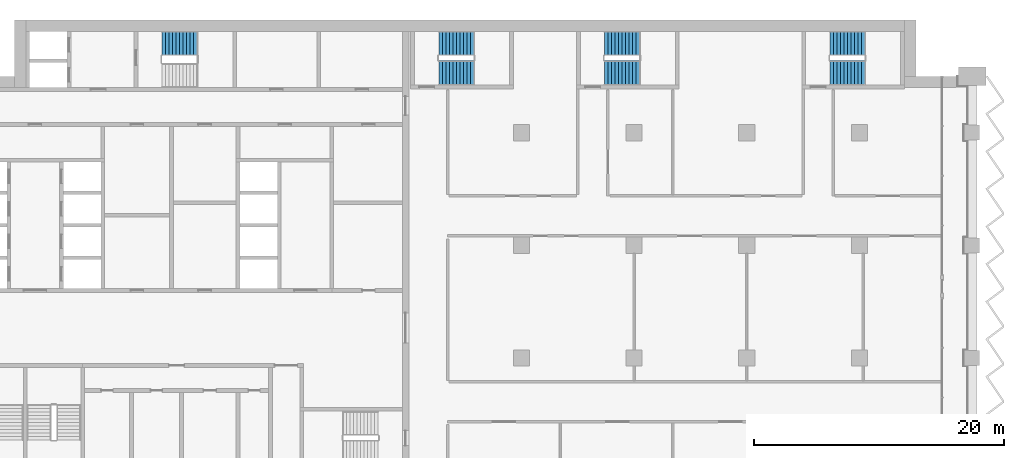
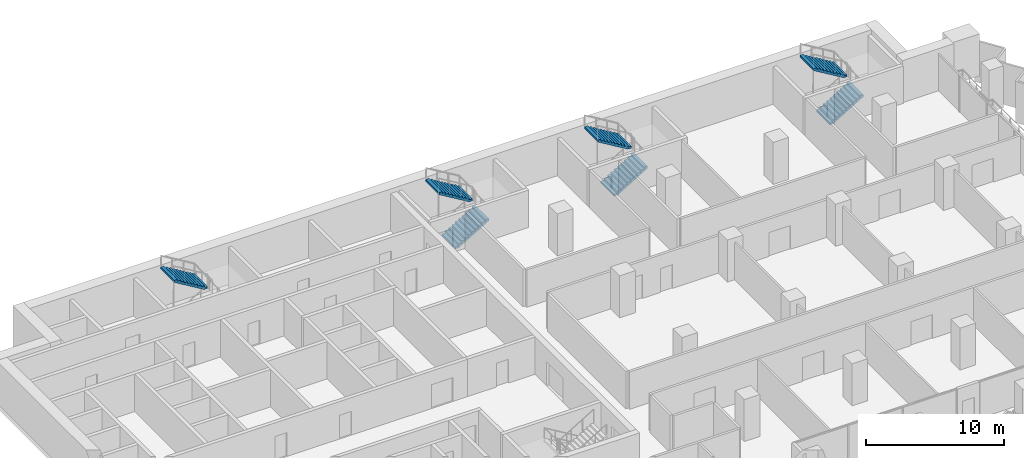
# One storey, part 17 of 22: 7 stair flights, 4 elements without a shape of their own.
"""IFC4 building model written with IfcOpenShell, lengths in metres."""

from ifc_helpers import new_model, si_unit, direction, frame, origin, place, context, subcontext, project, spatial, polyline, outline, extrude, material, type_object, element, aggregate, save


model = new_model("IFC4")

# Units and contexts
model_context = context("Model", 3, precision=1e-05, world=origin(), true_north=direction((0.0, 1.0)))
body_context = subcontext(model_context, "Body", "Model", "MODEL_VIEW")
ifc_project = project(units=[si_unit("LENGTHUNIT", "METRE"), si_unit("AREAUNIT", "SQUARE_METRE"), si_unit("VOLUMEUNIT", "CUBIC_METRE"), si_unit("PLANEANGLEUNIT", "RADIAN"), si_unit("MASSUNIT", "GRAM", prefix="KILO")], contexts=[model_context])

# Site, building, storey
site_placement = place(None, origin())
site = spatial("IfcSite", under=ifc_project, at=site_placement, CompositionType="ELEMENT")
building_placement = place(site_placement, origin())
building = spatial("IfcBuilding", under=site, at=building_placement, Name="Hunhe Ridgeline Campus", CompositionType="ELEMENT")
storey_placement = place(building_placement, frame((0.0, 0.0, 92.199951171875)))
storey = spatial("IfcBuildingStorey", under=building, at=storey_placement, Name="L22", CompositionType="ELEMENT", Elevation=92.199951171875)

# Stair, stair flight
ifc_material = material(Name="Concrete C40", Category="concrete")
stair_type = type_object("IfcStairType", Name="Reinforced concrete dog-leg stair 1950 Concrete C40", PredefinedType="HALF_TURN_STAIR", material=ifc_material)
stair_1_placement = place(storey_placement, origin())
stair_1 = element("IfcStair", 1, at=stair_1_placement, inside=storey, type_object=stair_type, Name="L22 S1", PredefinedType="HALF_TURN_STAIR")
stair_flight_type = type_object("IfcStairFlightType", Name="Reinforced concrete stair flight 1950 Concrete C40", PredefinedType="STRAIGHT", material=ifc_material)
stair_flight_1_placement = place(storey_placement, frame((19.10009765625, 97.125, 1.85009765625), z_axis=(0.0, 0.0, 1.0), x_axis=(-1.0, 0.0, 0.0)))
stair_flight_1 = element("IfcStairFlight", 2, at=stair_flight_1_placement, type_object=stair_flight_type, Name="ST1 flight 2", NumberOfRisers=11, NumberOfTreads=10, PredefinedType="STRAIGHT", RiserHeight=0.168181818, TreadLength=0.28, context=body_context, shape_type="SweptSolid", body=[
    extrude(outline(polyline([(0.0, 0.0), (0.0, 0.168212890625), (0.280029296875, 0.168212890625), (0.280029296875, 0.33642578125), (0.56005859375, 0.33642578125), (0.56005859375, 0.504638671875), (0.840087890625, 0.504638671875), (0.840087890625, 0.672607421875), (1.1201171875, 0.672607421875), (1.1201171875, 0.8408203125), (1.39990234375, 0.8408203125), (1.39990234375, 1.009033203125), (1.679931640625, 1.009033203125), (1.679931640625, 1.17724609375), (1.9599609375, 1.17724609375), (1.9599609375, 1.345458984375), (2.239990234375, 1.345458984375), (2.239990234375, 1.513671875), (2.52001953125, 1.513671875), (2.52001953125, 1.681884765625), (2.800048828125, 1.681884765625), (2.800048828125, 1.85009765625), (2.800048828125, 1.5068359375), (0.291015625, 0.0), (0.0, 0.0)])), frame((0.0, 0.97509765625, 0.0), z_axis=(0.0, -1.0, 0.0), x_axis=(1.0, 0.0, 0.0)), (0.0, 0.0, 1.0), 1.949951171875),
    extrude(outline(polyline([(0.030029296875, 0.030029296875), (0.030029296875, 0.13818359375), (0.31005859375, 0.13818359375), (0.31005859375, 0.306396484375), (0.590087890625, 0.306396484375), (0.590087890625, 0.474609375), (0.8701171875, 0.474609375), (0.8701171875, 0.642578125), (1.14990234375, 0.642578125), (1.14990234375, 0.810791015625), (1.429931640625, 0.810791015625), (1.429931640625, 0.97900390625), (1.7099609375, 0.97900390625), (1.7099609375, 1.147216796875), (1.989990234375, 1.147216796875), (1.989990234375, 1.3154296875), (2.27001953125, 1.3154296875), (2.27001953125, 1.483642578125), (2.550048828125, 1.483642578125), (2.550048828125, 1.65185546875), (2.77001953125, 1.65185546875), (2.77001953125, 1.52392578125), (0.28271484375, 0.030029296875), (0.030029296875, 0.030029296875)])), frame((0.0, -0.070068359375, 0.0), z_axis=(0.0, -1.0, 0.0), x_axis=(1.0, 0.0, 0.0)), (0.0, 0.0, 1.0), 0.019775390625),
    extrude(outline(polyline([(0.030029296875, 0.030029296875), (0.030029296875, 0.13818359375), (0.31005859375, 0.13818359375), (0.31005859375, 0.306396484375), (0.590087890625, 0.306396484375), (0.590087890625, 0.474609375), (0.8701171875, 0.474609375), (0.8701171875, 0.642578125), (1.14990234375, 0.642578125), (1.14990234375, 0.810791015625), (1.429931640625, 0.810791015625), (1.429931640625, 0.97900390625), (1.7099609375, 0.97900390625), (1.7099609375, 1.147216796875), (1.989990234375, 1.147216796875), (1.989990234375, 1.3154296875), (2.27001953125, 1.3154296875), (2.27001953125, 1.483642578125), (2.550048828125, 1.483642578125), (2.550048828125, 1.65185546875), (2.77001953125, 1.65185546875), (2.77001953125, 1.52392578125), (0.28271484375, 0.030029296875), (0.030029296875, 0.030029296875)])), frame((0.0, 0.010009765625, 0.0), z_axis=(0.0, -1.0, 0.0), x_axis=(1.0, 0.0, 0.0)), (0.0, 0.0, 1.0), 0.019775390625),
    extrude(outline(polyline([(0.030029296875, 0.030029296875), (0.030029296875, 0.13818359375), (0.31005859375, 0.13818359375), (0.31005859375, 0.306396484375), (0.590087890625, 0.306396484375), (0.590087890625, 0.474609375), (0.8701171875, 0.474609375), (0.8701171875, 0.642578125), (1.14990234375, 0.642578125), (1.14990234375, 0.810791015625), (1.429931640625, 0.810791015625), (1.429931640625, 0.97900390625), (1.7099609375, 0.97900390625), (1.7099609375, 1.147216796875), (1.989990234375, 1.147216796875), (1.989990234375, 1.3154296875), (2.27001953125, 1.3154296875), (2.27001953125, 1.483642578125), (2.550048828125, 1.483642578125), (2.550048828125, 1.65185546875), (2.77001953125, 1.65185546875), (2.77001953125, 1.52392578125), (0.28271484375, 0.030029296875), (0.030029296875, 0.030029296875)])), frame((0.0, 0.090087890625, 0.0), z_axis=(0.0, -1.0, 0.0), x_axis=(1.0, 0.0, 0.0)), (0.0, 0.0, 1.0), 0.019775390625),
])
aggregate(stair_1, [stair_flight_1])

# Stair, stair flights
stair_2_placement = place(storey_placement, origin())
stair_2 = element("IfcStair", 3, at=stair_2_placement, inside=storey, type_object=stair_type, Name="L22 E1", PredefinedType="HALF_TURN_STAIR")
stair_flight_2_placement = place(storey_placement, frame((38.39990234375, 94.77490234375, 0.0), z_axis=(0.0, 0.0, 1.0), x_axis=(1.0, 0.0, 0.0)))
stair_flight_2 = element("IfcStairFlight", 4, at=stair_flight_2_placement, type_object=stair_flight_type, Name="ST5 flight 1", NumberOfRisers=11, NumberOfTreads=10, PredefinedType="STRAIGHT", RiserHeight=0.168181818, TreadLength=0.28, context=body_context, shape_type="SweptSolid", body=[
    extrude(outline(polyline([(0.0, 0.0), (0.0, 0.168212890625), (0.280029296875, 0.168212890625), (0.280029296875, 0.33642578125), (0.56005859375, 0.33642578125), (0.56005859375, 0.504638671875), (0.840087890625, 0.504638671875), (0.840087890625, 0.672607421875), (1.1201171875, 0.672607421875), (1.1201171875, 0.8408203125), (1.39990234375, 0.8408203125), (1.39990234375, 1.009033203125), (1.679931640625, 1.009033203125), (1.679931640625, 1.17724609375), (1.9599609375, 1.17724609375), (1.9599609375, 1.345458984375), (2.239990234375, 1.345458984375), (2.239990234375, 1.513671875), (2.52001953125, 1.513671875), (2.52001953125, 1.681884765625), (2.800048828125, 1.681884765625), (2.800048828125, 1.85009765625), (2.800048828125, 1.5068359375), (0.291015625, 0.0), (0.0, 0.0)])), frame((0.0, 0.97509765625, 0.0), z_axis=(0.0, -1.0, 0.0), x_axis=(1.0, 0.0, 0.0)), (0.0, 0.0, 1.0), 1.949951171875),
    extrude(outline(polyline([(0.030029296875, 0.030029296875), (0.030029296875, 0.13818359375), (0.31005859375, 0.13818359375), (0.31005859375, 0.306396484375), (0.590087890625, 0.306396484375), (0.590087890625, 0.474609375), (0.8701171875, 0.474609375), (0.8701171875, 0.642578125), (1.14990234375, 0.642578125), (1.14990234375, 0.810791015625), (1.429931640625, 0.810791015625), (1.429931640625, 0.97900390625), (1.7099609375, 0.97900390625), (1.7099609375, 1.147216796875), (1.989990234375, 1.147216796875), (1.989990234375, 1.3154296875), (2.27001953125, 1.3154296875), (2.27001953125, 1.483642578125), (2.550048828125, 1.483642578125), (2.550048828125, 1.65185546875), (2.77001953125, 1.65185546875), (2.77001953125, 1.52392578125), (0.28271484375, 0.030029296875), (0.030029296875, 0.030029296875)])), frame((0.0, -0.070068359375, 0.0), z_axis=(0.0, -1.0, 0.0), x_axis=(1.0, 0.0, 0.0)), (0.0, 0.0, 1.0), 0.019775390625),
    extrude(outline(polyline([(0.030029296875, 0.030029296875), (0.030029296875, 0.13818359375), (0.31005859375, 0.13818359375), (0.31005859375, 0.306396484375), (0.590087890625, 0.306396484375), (0.590087890625, 0.474609375), (0.8701171875, 0.474609375), (0.8701171875, 0.642578125), (1.14990234375, 0.642578125), (1.14990234375, 0.810791015625), (1.429931640625, 0.810791015625), (1.429931640625, 0.97900390625), (1.7099609375, 0.97900390625), (1.7099609375, 1.147216796875), (1.989990234375, 1.147216796875), (1.989990234375, 1.3154296875), (2.27001953125, 1.3154296875), (2.27001953125, 1.483642578125), (2.550048828125, 1.483642578125), (2.550048828125, 1.65185546875), (2.77001953125, 1.65185546875), (2.77001953125, 1.52392578125), (0.28271484375, 0.030029296875), (0.030029296875, 0.030029296875)])), frame((0.0, 0.010009765625, 0.0), z_axis=(0.0, -1.0, 0.0), x_axis=(1.0, 0.0, 0.0)), (0.0, 0.0, 1.0), 0.019775390625),
    extrude(outline(polyline([(0.030029296875, 0.030029296875), (0.030029296875, 0.13818359375), (0.31005859375, 0.13818359375), (0.31005859375, 0.306396484375), (0.590087890625, 0.306396484375), (0.590087890625, 0.474609375), (0.8701171875, 0.474609375), (0.8701171875, 0.642578125), (1.14990234375, 0.642578125), (1.14990234375, 0.810791015625), (1.429931640625, 0.810791015625), (1.429931640625, 0.97900390625), (1.7099609375, 0.97900390625), (1.7099609375, 1.147216796875), (1.989990234375, 1.147216796875), (1.989990234375, 1.3154296875), (2.27001953125, 1.3154296875), (2.27001953125, 1.483642578125), (2.550048828125, 1.483642578125), (2.550048828125, 1.65185546875), (2.77001953125, 1.65185546875), (2.77001953125, 1.52392578125), (0.28271484375, 0.030029296875), (0.030029296875, 0.030029296875)])), frame((0.0, 0.090087890625, 0.0), z_axis=(0.0, -1.0, 0.0), x_axis=(1.0, 0.0, 0.0)), (0.0, 0.0, 1.0), 0.019775390625),
])
stair_flight_3_placement = place(storey_placement, frame((41.199951171875, 97.125, 1.85009765625), z_axis=(0.0, 0.0, 1.0), x_axis=(-1.0, 0.0, 0.0)))
stair_flight_3 = element("IfcStairFlight", 5, at=stair_flight_3_placement, type_object=stair_flight_type, Name="ST5 flight 2", NumberOfRisers=11, NumberOfTreads=10, PredefinedType="STRAIGHT", RiserHeight=0.168181818, TreadLength=0.28, context=body_context, shape_type="SweptSolid", body=[
    extrude(outline(polyline([(0.0, 0.0), (0.0, 0.168212890625), (0.280029296875, 0.168212890625), (0.280029296875, 0.33642578125), (0.56005859375, 0.33642578125), (0.56005859375, 0.504638671875), (0.840087890625, 0.504638671875), (0.840087890625, 0.672607421875), (1.1201171875, 0.672607421875), (1.1201171875, 0.8408203125), (1.39990234375, 0.8408203125), (1.39990234375, 1.009033203125), (1.679931640625, 1.009033203125), (1.679931640625, 1.17724609375), (1.9599609375, 1.17724609375), (1.9599609375, 1.345458984375), (2.239990234375, 1.345458984375), (2.239990234375, 1.513671875), (2.52001953125, 1.513671875), (2.52001953125, 1.681884765625), (2.800048828125, 1.681884765625), (2.800048828125, 1.85009765625), (2.800048828125, 1.5068359375), (0.291015625, 0.0), (0.0, 0.0)])), frame((0.0, 0.97509765625, 0.0), z_axis=(0.0, -1.0, 0.0), x_axis=(1.0, 0.0, 0.0)), (0.0, 0.0, 1.0), 1.949951171875),
    extrude(outline(polyline([(0.030029296875, 0.030029296875), (0.030029296875, 0.13818359375), (0.31005859375, 0.13818359375), (0.31005859375, 0.306396484375), (0.590087890625, 0.306396484375), (0.590087890625, 0.474609375), (0.8701171875, 0.474609375), (0.8701171875, 0.642578125), (1.14990234375, 0.642578125), (1.14990234375, 0.810791015625), (1.429931640625, 0.810791015625), (1.429931640625, 0.97900390625), (1.7099609375, 0.97900390625), (1.7099609375, 1.147216796875), (1.989990234375, 1.147216796875), (1.989990234375, 1.3154296875), (2.27001953125, 1.3154296875), (2.27001953125, 1.483642578125), (2.550048828125, 1.483642578125), (2.550048828125, 1.65185546875), (2.77001953125, 1.65185546875), (2.77001953125, 1.52392578125), (0.28271484375, 0.030029296875), (0.030029296875, 0.030029296875)])), frame((0.0, -0.070068359375, 0.0), z_axis=(0.0, -1.0, 0.0), x_axis=(1.0, 0.0, 0.0)), (0.0, 0.0, 1.0), 0.019775390625),
    extrude(outline(polyline([(0.030029296875, 0.030029296875), (0.030029296875, 0.13818359375), (0.31005859375, 0.13818359375), (0.31005859375, 0.306396484375), (0.590087890625, 0.306396484375), (0.590087890625, 0.474609375), (0.8701171875, 0.474609375), (0.8701171875, 0.642578125), (1.14990234375, 0.642578125), (1.14990234375, 0.810791015625), (1.429931640625, 0.810791015625), (1.429931640625, 0.97900390625), (1.7099609375, 0.97900390625), (1.7099609375, 1.147216796875), (1.989990234375, 1.147216796875), (1.989990234375, 1.3154296875), (2.27001953125, 1.3154296875), (2.27001953125, 1.483642578125), (2.550048828125, 1.483642578125), (2.550048828125, 1.65185546875), (2.77001953125, 1.65185546875), (2.77001953125, 1.52392578125), (0.28271484375, 0.030029296875), (0.030029296875, 0.030029296875)])), frame((0.0, 0.010009765625, 0.0), z_axis=(0.0, -1.0, 0.0), x_axis=(1.0, 0.0, 0.0)), (0.0, 0.0, 1.0), 0.019775390625),
    extrude(outline(polyline([(0.030029296875, 0.030029296875), (0.030029296875, 0.13818359375), (0.31005859375, 0.13818359375), (0.31005859375, 0.306396484375), (0.590087890625, 0.306396484375), (0.590087890625, 0.474609375), (0.8701171875, 0.474609375), (0.8701171875, 0.642578125), (1.14990234375, 0.642578125), (1.14990234375, 0.810791015625), (1.429931640625, 0.810791015625), (1.429931640625, 0.97900390625), (1.7099609375, 0.97900390625), (1.7099609375, 1.147216796875), (1.989990234375, 1.147216796875), (1.989990234375, 1.3154296875), (2.27001953125, 1.3154296875), (2.27001953125, 1.483642578125), (2.550048828125, 1.483642578125), (2.550048828125, 1.65185546875), (2.77001953125, 1.65185546875), (2.77001953125, 1.52392578125), (0.28271484375, 0.030029296875), (0.030029296875, 0.030029296875)])), frame((0.0, 0.090087890625, 0.0), z_axis=(0.0, -1.0, 0.0), x_axis=(1.0, 0.0, 0.0)), (0.0, 0.0, 1.0), 0.019775390625),
])
aggregate(stair_2, [stair_flight_2, stair_flight_3])

stair_3_placement = place(storey_placement, origin())
stair_3 = element("IfcStair", 6, at=stair_3_placement, inside=storey, type_object=stair_type, Name="L22 E2", PredefinedType="HALF_TURN_STAIR")
stair_flight_4_placement = place(storey_placement, frame((51.64990234375, 94.77490234375, 0.0), z_axis=(0.0, 0.0, 1.0), x_axis=(1.0, 0.0, 0.0)))
stair_flight_4 = element("IfcStairFlight", 7, at=stair_flight_4_placement, type_object=stair_flight_type, Name="ST6 flight 1", NumberOfRisers=11, NumberOfTreads=10, PredefinedType="STRAIGHT", RiserHeight=0.168181818, TreadLength=0.28, context=body_context, shape_type="SweptSolid", body=[
    extrude(outline(polyline([(0.0, 0.0), (0.0, 0.168212890625), (0.280029296875, 0.168212890625), (0.280029296875, 0.33642578125), (0.56005859375, 0.33642578125), (0.56005859375, 0.504638671875), (0.840087890625, 0.504638671875), (0.840087890625, 0.672607421875), (1.1201171875, 0.672607421875), (1.1201171875, 0.8408203125), (1.39990234375, 0.8408203125), (1.39990234375, 1.009033203125), (1.679931640625, 1.009033203125), (1.679931640625, 1.17724609375), (1.9599609375, 1.17724609375), (1.9599609375, 1.345458984375), (2.239990234375, 1.345458984375), (2.239990234375, 1.513671875), (2.52001953125, 1.513671875), (2.52001953125, 1.681884765625), (2.800048828125, 1.681884765625), (2.800048828125, 1.85009765625), (2.800048828125, 1.5068359375), (0.291015625, 0.0), (0.0, 0.0)])), frame((0.0, 0.97509765625, 0.0), z_axis=(0.0, -1.0, 0.0), x_axis=(1.0, 0.0, 0.0)), (0.0, 0.0, 1.0), 1.949951171875),
    extrude(outline(polyline([(0.030029296875, 0.030029296875), (0.030029296875, 0.13818359375), (0.31005859375, 0.13818359375), (0.31005859375, 0.306396484375), (0.590087890625, 0.306396484375), (0.590087890625, 0.474609375), (0.8701171875, 0.474609375), (0.8701171875, 0.642578125), (1.14990234375, 0.642578125), (1.14990234375, 0.810791015625), (1.429931640625, 0.810791015625), (1.429931640625, 0.97900390625), (1.7099609375, 0.97900390625), (1.7099609375, 1.147216796875), (1.989990234375, 1.147216796875), (1.989990234375, 1.3154296875), (2.27001953125, 1.3154296875), (2.27001953125, 1.483642578125), (2.550048828125, 1.483642578125), (2.550048828125, 1.65185546875), (2.77001953125, 1.65185546875), (2.77001953125, 1.52392578125), (0.28271484375, 0.030029296875), (0.030029296875, 0.030029296875)])), frame((0.0, -0.070068359375, 0.0), z_axis=(0.0, -1.0, 0.0), x_axis=(1.0, 0.0, 0.0)), (0.0, 0.0, 1.0), 0.019775390625),
    extrude(outline(polyline([(0.030029296875, 0.030029296875), (0.030029296875, 0.13818359375), (0.31005859375, 0.13818359375), (0.31005859375, 0.306396484375), (0.590087890625, 0.306396484375), (0.590087890625, 0.474609375), (0.8701171875, 0.474609375), (0.8701171875, 0.642578125), (1.14990234375, 0.642578125), (1.14990234375, 0.810791015625), (1.429931640625, 0.810791015625), (1.429931640625, 0.97900390625), (1.7099609375, 0.97900390625), (1.7099609375, 1.147216796875), (1.989990234375, 1.147216796875), (1.989990234375, 1.3154296875), (2.27001953125, 1.3154296875), (2.27001953125, 1.483642578125), (2.550048828125, 1.483642578125), (2.550048828125, 1.65185546875), (2.77001953125, 1.65185546875), (2.77001953125, 1.52392578125), (0.28271484375, 0.030029296875), (0.030029296875, 0.030029296875)])), frame((0.0, 0.010009765625, 0.0), z_axis=(0.0, -1.0, 0.0), x_axis=(1.0, 0.0, 0.0)), (0.0, 0.0, 1.0), 0.019775390625),
    extrude(outline(polyline([(0.030029296875, 0.030029296875), (0.030029296875, 0.13818359375), (0.31005859375, 0.13818359375), (0.31005859375, 0.306396484375), (0.590087890625, 0.306396484375), (0.590087890625, 0.474609375), (0.8701171875, 0.474609375), (0.8701171875, 0.642578125), (1.14990234375, 0.642578125), (1.14990234375, 0.810791015625), (1.429931640625, 0.810791015625), (1.429931640625, 0.97900390625), (1.7099609375, 0.97900390625), (1.7099609375, 1.147216796875), (1.989990234375, 1.147216796875), (1.989990234375, 1.3154296875), (2.27001953125, 1.3154296875), (2.27001953125, 1.483642578125), (2.550048828125, 1.483642578125), (2.550048828125, 1.65185546875), (2.77001953125, 1.65185546875), (2.77001953125, 1.52392578125), (0.28271484375, 0.030029296875), (0.030029296875, 0.030029296875)])), frame((0.0, 0.090087890625, 0.0), z_axis=(0.0, -1.0, 0.0), x_axis=(1.0, 0.0, 0.0)), (0.0, 0.0, 1.0), 0.019775390625),
])
stair_flight_5_placement = place(storey_placement, frame((54.449951171875, 97.125, 1.85009765625), z_axis=(0.0, 0.0, 1.0), x_axis=(-1.0, 0.0, 0.0)))
stair_flight_5 = element("IfcStairFlight", 8, at=stair_flight_5_placement, type_object=stair_flight_type, Name="ST6 flight 2", NumberOfRisers=11, NumberOfTreads=10, PredefinedType="STRAIGHT", RiserHeight=0.168181818, TreadLength=0.28, context=body_context, shape_type="SweptSolid", body=[
    extrude(outline(polyline([(0.0, 0.0), (0.0, 0.168212890625), (0.280029296875, 0.168212890625), (0.280029296875, 0.33642578125), (0.56005859375, 0.33642578125), (0.56005859375, 0.504638671875), (0.840087890625, 0.504638671875), (0.840087890625, 0.672607421875), (1.1201171875, 0.672607421875), (1.1201171875, 0.8408203125), (1.39990234375, 0.8408203125), (1.39990234375, 1.009033203125), (1.679931640625, 1.009033203125), (1.679931640625, 1.17724609375), (1.9599609375, 1.17724609375), (1.9599609375, 1.345458984375), (2.239990234375, 1.345458984375), (2.239990234375, 1.513671875), (2.52001953125, 1.513671875), (2.52001953125, 1.681884765625), (2.800048828125, 1.681884765625), (2.800048828125, 1.85009765625), (2.800048828125, 1.5068359375), (0.291015625, 0.0), (0.0, 0.0)])), frame((0.0, 0.97509765625, 0.0), z_axis=(0.0, -1.0, 0.0), x_axis=(1.0, 0.0, 0.0)), (0.0, 0.0, 1.0), 1.949951171875),
    extrude(outline(polyline([(0.030029296875, 0.030029296875), (0.030029296875, 0.13818359375), (0.31005859375, 0.13818359375), (0.31005859375, 0.306396484375), (0.590087890625, 0.306396484375), (0.590087890625, 0.474609375), (0.8701171875, 0.474609375), (0.8701171875, 0.642578125), (1.14990234375, 0.642578125), (1.14990234375, 0.810791015625), (1.429931640625, 0.810791015625), (1.429931640625, 0.97900390625), (1.7099609375, 0.97900390625), (1.7099609375, 1.147216796875), (1.989990234375, 1.147216796875), (1.989990234375, 1.3154296875), (2.27001953125, 1.3154296875), (2.27001953125, 1.483642578125), (2.550048828125, 1.483642578125), (2.550048828125, 1.65185546875), (2.77001953125, 1.65185546875), (2.77001953125, 1.52392578125), (0.28271484375, 0.030029296875), (0.030029296875, 0.030029296875)])), frame((0.0, -0.070068359375, 0.0), z_axis=(0.0, -1.0, 0.0), x_axis=(1.0, 0.0, 0.0)), (0.0, 0.0, 1.0), 0.019775390625),
    extrude(outline(polyline([(0.030029296875, 0.030029296875), (0.030029296875, 0.13818359375), (0.31005859375, 0.13818359375), (0.31005859375, 0.306396484375), (0.590087890625, 0.306396484375), (0.590087890625, 0.474609375), (0.8701171875, 0.474609375), (0.8701171875, 0.642578125), (1.14990234375, 0.642578125), (1.14990234375, 0.810791015625), (1.429931640625, 0.810791015625), (1.429931640625, 0.97900390625), (1.7099609375, 0.97900390625), (1.7099609375, 1.147216796875), (1.989990234375, 1.147216796875), (1.989990234375, 1.3154296875), (2.27001953125, 1.3154296875), (2.27001953125, 1.483642578125), (2.550048828125, 1.483642578125), (2.550048828125, 1.65185546875), (2.77001953125, 1.65185546875), (2.77001953125, 1.52392578125), (0.28271484375, 0.030029296875), (0.030029296875, 0.030029296875)])), frame((0.0, 0.010009765625, 0.0), z_axis=(0.0, -1.0, 0.0), x_axis=(1.0, 0.0, 0.0)), (0.0, 0.0, 1.0), 0.019775390625),
    extrude(outline(polyline([(0.030029296875, 0.030029296875), (0.030029296875, 0.13818359375), (0.31005859375, 0.13818359375), (0.31005859375, 0.306396484375), (0.590087890625, 0.306396484375), (0.590087890625, 0.474609375), (0.8701171875, 0.474609375), (0.8701171875, 0.642578125), (1.14990234375, 0.642578125), (1.14990234375, 0.810791015625), (1.429931640625, 0.810791015625), (1.429931640625, 0.97900390625), (1.7099609375, 0.97900390625), (1.7099609375, 1.147216796875), (1.989990234375, 1.147216796875), (1.989990234375, 1.3154296875), (2.27001953125, 1.3154296875), (2.27001953125, 1.483642578125), (2.550048828125, 1.483642578125), (2.550048828125, 1.65185546875), (2.77001953125, 1.65185546875), (2.77001953125, 1.52392578125), (0.28271484375, 0.030029296875), (0.030029296875, 0.030029296875)])), frame((0.0, 0.090087890625, 0.0), z_axis=(0.0, -1.0, 0.0), x_axis=(1.0, 0.0, 0.0)), (0.0, 0.0, 1.0), 0.019775390625),
])
aggregate(stair_3, [stair_flight_4, stair_flight_5])

stair_4_placement = place(storey_placement, origin())
stair_4 = element("IfcStair", 9, at=stair_4_placement, inside=storey, type_object=stair_type, Name="L22 E3", PredefinedType="HALF_TURN_STAIR")
stair_flight_6_placement = place(storey_placement, frame((69.64990234375, 94.77490234375, 0.0), z_axis=(0.0, 0.0, 1.0), x_axis=(1.0, 0.0, 0.0)))
stair_flight_6 = element("IfcStairFlight", 10, at=stair_flight_6_placement, type_object=stair_flight_type, Name="ST7 flight 1", NumberOfRisers=11, NumberOfTreads=10, PredefinedType="STRAIGHT", RiserHeight=0.168181818, TreadLength=0.28, context=body_context, shape_type="SweptSolid", body=[
    extrude(outline(polyline([(0.0, 0.0), (0.0, 0.168212890625), (0.280029296875, 0.168212890625), (0.280029296875, 0.33642578125), (0.56005859375, 0.33642578125), (0.56005859375, 0.504638671875), (0.840087890625, 0.504638671875), (0.840087890625, 0.672607421875), (1.1201171875, 0.672607421875), (1.1201171875, 0.8408203125), (1.39990234375, 0.8408203125), (1.39990234375, 1.009033203125), (1.679931640625, 1.009033203125), (1.679931640625, 1.17724609375), (1.9599609375, 1.17724609375), (1.9599609375, 1.345458984375), (2.239990234375, 1.345458984375), (2.239990234375, 1.513671875), (2.52001953125, 1.513671875), (2.52001953125, 1.681884765625), (2.800048828125, 1.681884765625), (2.800048828125, 1.85009765625), (2.800048828125, 1.5068359375), (0.291015625, 0.0), (0.0, 0.0)])), frame((0.0, 0.97509765625, 0.0), z_axis=(0.0, -1.0, 0.0), x_axis=(1.0, 0.0, 0.0)), (0.0, 0.0, 1.0), 1.949951171875),
    extrude(outline(polyline([(0.030029296875, 0.030029296875), (0.030029296875, 0.13818359375), (0.31005859375, 0.13818359375), (0.31005859375, 0.306396484375), (0.590087890625, 0.306396484375), (0.590087890625, 0.474609375), (0.8701171875, 0.474609375), (0.8701171875, 0.642578125), (1.14990234375, 0.642578125), (1.14990234375, 0.810791015625), (1.429931640625, 0.810791015625), (1.429931640625, 0.97900390625), (1.7099609375, 0.97900390625), (1.7099609375, 1.147216796875), (1.989990234375, 1.147216796875), (1.989990234375, 1.3154296875), (2.27001953125, 1.3154296875), (2.27001953125, 1.483642578125), (2.550048828125, 1.483642578125), (2.550048828125, 1.65185546875), (2.77001953125, 1.65185546875), (2.77001953125, 1.52392578125), (0.28271484375, 0.030029296875), (0.030029296875, 0.030029296875)])), frame((0.0, -0.070068359375, 0.0), z_axis=(0.0, -1.0, 0.0), x_axis=(1.0, 0.0, 0.0)), (0.0, 0.0, 1.0), 0.019775390625),
    extrude(outline(polyline([(0.030029296875, 0.030029296875), (0.030029296875, 0.13818359375), (0.31005859375, 0.13818359375), (0.31005859375, 0.306396484375), (0.590087890625, 0.306396484375), (0.590087890625, 0.474609375), (0.8701171875, 0.474609375), (0.8701171875, 0.642578125), (1.14990234375, 0.642578125), (1.14990234375, 0.810791015625), (1.429931640625, 0.810791015625), (1.429931640625, 0.97900390625), (1.7099609375, 0.97900390625), (1.7099609375, 1.147216796875), (1.989990234375, 1.147216796875), (1.989990234375, 1.3154296875), (2.27001953125, 1.3154296875), (2.27001953125, 1.483642578125), (2.550048828125, 1.483642578125), (2.550048828125, 1.65185546875), (2.77001953125, 1.65185546875), (2.77001953125, 1.52392578125), (0.28271484375, 0.030029296875), (0.030029296875, 0.030029296875)])), frame((0.0, 0.010009765625, 0.0), z_axis=(0.0, -1.0, 0.0), x_axis=(1.0, 0.0, 0.0)), (0.0, 0.0, 1.0), 0.019775390625),
    extrude(outline(polyline([(0.030029296875, 0.030029296875), (0.030029296875, 0.13818359375), (0.31005859375, 0.13818359375), (0.31005859375, 0.306396484375), (0.590087890625, 0.306396484375), (0.590087890625, 0.474609375), (0.8701171875, 0.474609375), (0.8701171875, 0.642578125), (1.14990234375, 0.642578125), (1.14990234375, 0.810791015625), (1.429931640625, 0.810791015625), (1.429931640625, 0.97900390625), (1.7099609375, 0.97900390625), (1.7099609375, 1.147216796875), (1.989990234375, 1.147216796875), (1.989990234375, 1.3154296875), (2.27001953125, 1.3154296875), (2.27001953125, 1.483642578125), (2.550048828125, 1.483642578125), (2.550048828125, 1.65185546875), (2.77001953125, 1.65185546875), (2.77001953125, 1.52392578125), (0.28271484375, 0.030029296875), (0.030029296875, 0.030029296875)])), frame((0.0, 0.090087890625, 0.0), z_axis=(0.0, -1.0, 0.0), x_axis=(1.0, 0.0, 0.0)), (0.0, 0.0, 1.0), 0.019775390625),
])
stair_flight_7_placement = place(storey_placement, frame((72.449951171875, 97.125, 1.85009765625), z_axis=(0.0, 0.0, 1.0), x_axis=(-1.0, 0.0, 0.0)))
stair_flight_7 = element("IfcStairFlight", 11, at=stair_flight_7_placement, type_object=stair_flight_type, Name="ST7 flight 2", NumberOfRisers=11, NumberOfTreads=10, PredefinedType="STRAIGHT", RiserHeight=0.168181818, TreadLength=0.28, context=body_context, shape_type="SweptSolid", body=[
    extrude(outline(polyline([(0.0, 0.0), (0.0, 0.168212890625), (0.280029296875, 0.168212890625), (0.280029296875, 0.33642578125), (0.56005859375, 0.33642578125), (0.56005859375, 0.504638671875), (0.840087890625, 0.504638671875), (0.840087890625, 0.672607421875), (1.1201171875, 0.672607421875), (1.1201171875, 0.8408203125), (1.39990234375, 0.8408203125), (1.39990234375, 1.009033203125), (1.679931640625, 1.009033203125), (1.679931640625, 1.17724609375), (1.9599609375, 1.17724609375), (1.9599609375, 1.345458984375), (2.239990234375, 1.345458984375), (2.239990234375, 1.513671875), (2.52001953125, 1.513671875), (2.52001953125, 1.681884765625), (2.800048828125, 1.681884765625), (2.800048828125, 1.85009765625), (2.800048828125, 1.5068359375), (0.291015625, 0.0), (0.0, 0.0)])), frame((0.0, 0.97509765625, 0.0), z_axis=(0.0, -1.0, 0.0), x_axis=(1.0, 0.0, 0.0)), (0.0, 0.0, 1.0), 1.949951171875),
    extrude(outline(polyline([(0.030029296875, 0.030029296875), (0.030029296875, 0.13818359375), (0.31005859375, 0.13818359375), (0.31005859375, 0.306396484375), (0.590087890625, 0.306396484375), (0.590087890625, 0.474609375), (0.8701171875, 0.474609375), (0.8701171875, 0.642578125), (1.14990234375, 0.642578125), (1.14990234375, 0.810791015625), (1.429931640625, 0.810791015625), (1.429931640625, 0.97900390625), (1.7099609375, 0.97900390625), (1.7099609375, 1.147216796875), (1.989990234375, 1.147216796875), (1.989990234375, 1.3154296875), (2.27001953125, 1.3154296875), (2.27001953125, 1.483642578125), (2.550048828125, 1.483642578125), (2.550048828125, 1.65185546875), (2.77001953125, 1.65185546875), (2.77001953125, 1.52392578125), (0.28271484375, 0.030029296875), (0.030029296875, 0.030029296875)])), frame((0.0, -0.070068359375, 0.0), z_axis=(0.0, -1.0, 0.0), x_axis=(1.0, 0.0, 0.0)), (0.0, 0.0, 1.0), 0.019775390625),
    extrude(outline(polyline([(0.030029296875, 0.030029296875), (0.030029296875, 0.13818359375), (0.31005859375, 0.13818359375), (0.31005859375, 0.306396484375), (0.590087890625, 0.306396484375), (0.590087890625, 0.474609375), (0.8701171875, 0.474609375), (0.8701171875, 0.642578125), (1.14990234375, 0.642578125), (1.14990234375, 0.810791015625), (1.429931640625, 0.810791015625), (1.429931640625, 0.97900390625), (1.7099609375, 0.97900390625), (1.7099609375, 1.147216796875), (1.989990234375, 1.147216796875), (1.989990234375, 1.3154296875), (2.27001953125, 1.3154296875), (2.27001953125, 1.483642578125), (2.550048828125, 1.483642578125), (2.550048828125, 1.65185546875), (2.77001953125, 1.65185546875), (2.77001953125, 1.52392578125), (0.28271484375, 0.030029296875), (0.030029296875, 0.030029296875)])), frame((0.0, 0.010009765625, 0.0), z_axis=(0.0, -1.0, 0.0), x_axis=(1.0, 0.0, 0.0)), (0.0, 0.0, 1.0), 0.019775390625),
    extrude(outline(polyline([(0.030029296875, 0.030029296875), (0.030029296875, 0.13818359375), (0.31005859375, 0.13818359375), (0.31005859375, 0.306396484375), (0.590087890625, 0.306396484375), (0.590087890625, 0.474609375), (0.8701171875, 0.474609375), (0.8701171875, 0.642578125), (1.14990234375, 0.642578125), (1.14990234375, 0.810791015625), (1.429931640625, 0.810791015625), (1.429931640625, 0.97900390625), (1.7099609375, 0.97900390625), (1.7099609375, 1.147216796875), (1.989990234375, 1.147216796875), (1.989990234375, 1.3154296875), (2.27001953125, 1.3154296875), (2.27001953125, 1.483642578125), (2.550048828125, 1.483642578125), (2.550048828125, 1.65185546875), (2.77001953125, 1.65185546875), (2.77001953125, 1.52392578125), (0.28271484375, 0.030029296875), (0.030029296875, 0.030029296875)])), frame((0.0, 0.090087890625, 0.0), z_axis=(0.0, -1.0, 0.0), x_axis=(1.0, 0.0, 0.0)), (0.0, 0.0, 1.0), 0.019775390625),
])
aggregate(stair_4, [stair_flight_6, stair_flight_7])

save(model, "model.ifc")
